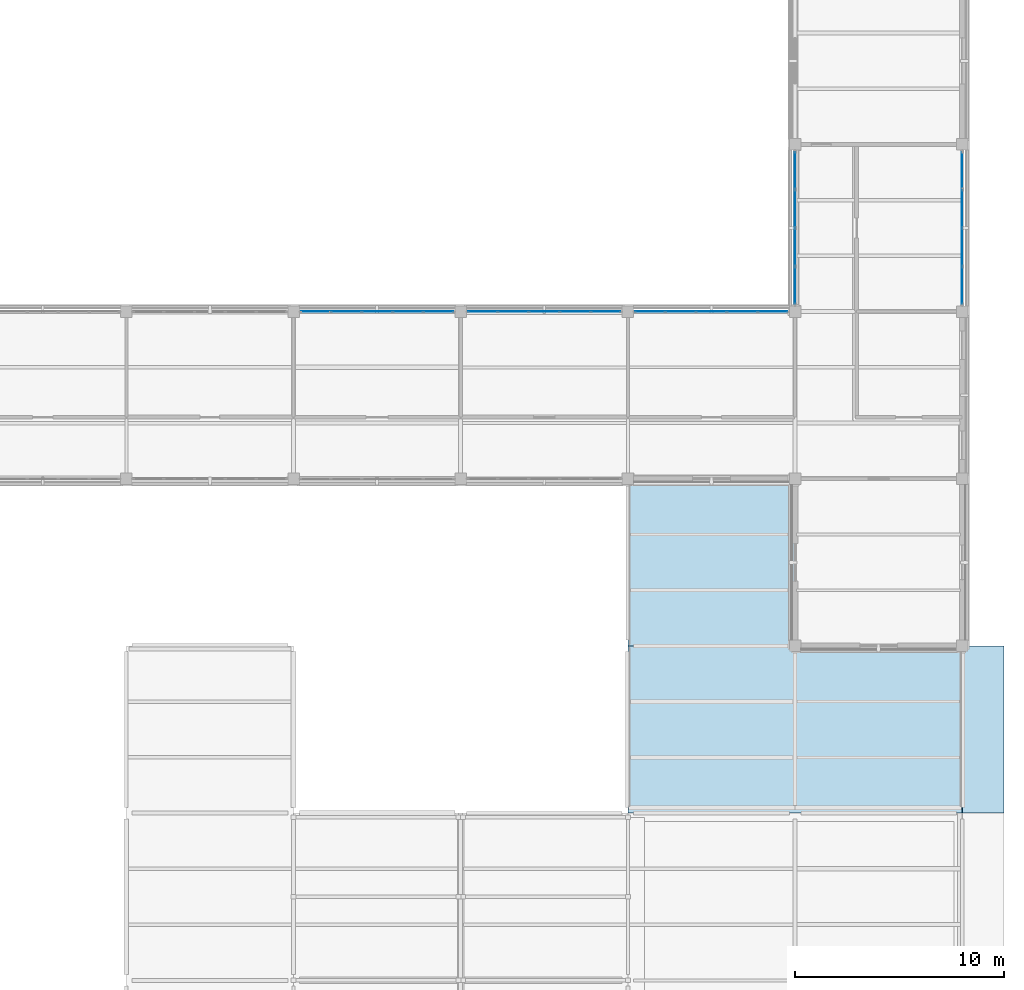
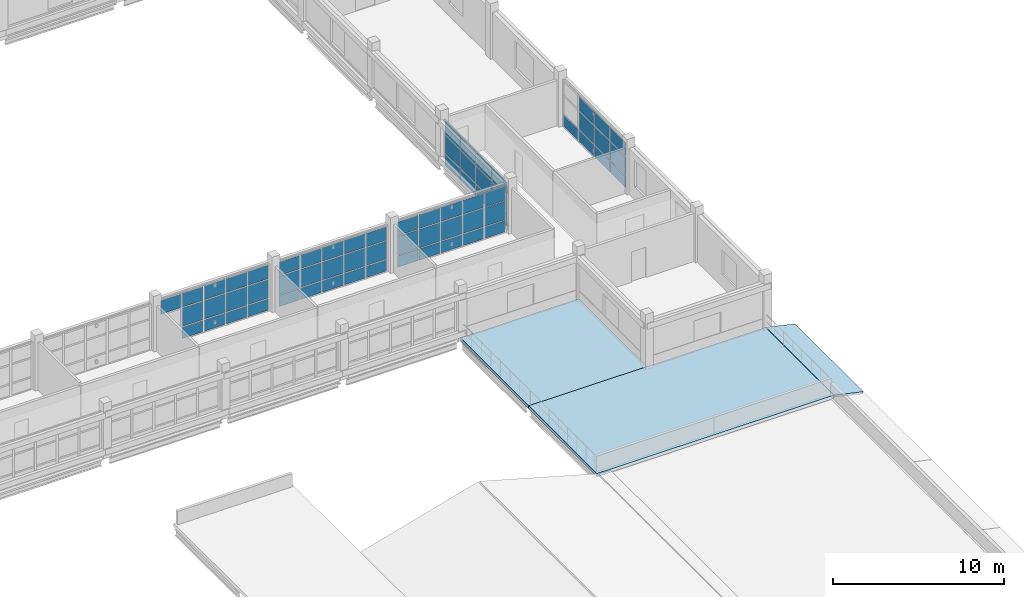
# One storey, part 58 of 92: 65 plates, 3 slabs, 5 elements without a shape of their own.
"""IFC4 building model written with IfcOpenShell, lengths in metres."""

from ifc_helpers import new_model, si_unit, derived_unit, direction, frame, origin, origin_2d, place, context, subcontext, project, spatial, polyline, rectangle, outline, extrude, material, layer, layer_set, type_object, element, aggregate, save


model = new_model("IFC4")

# Units and contexts
model_context = context("Model", 3, precision=1e-05, world=origin(), true_north=direction((0.0, 1.0)))
body_context = subcontext(model_context, "Body", "Model", "MODEL_VIEW")
ifc_project = project(units=[si_unit("LENGTHUNIT", "METRE"), si_unit("AREAUNIT", "SQUARE_METRE"), si_unit("VOLUMEUNIT", "CUBIC_METRE"), si_unit("PLANEANGLEUNIT", "RADIAN"), si_unit("MASSUNIT", "GRAM", prefix="KILO"), derived_unit("THERMALTRANSMITTANCEUNIT", [(si_unit("MASSUNIT", "GRAM", prefix="KILO"), 1), (si_unit("TIMEUNIT", "SECOND"), -3), (si_unit("THERMODYNAMICTEMPERATUREUNIT", "KELVIN"), -1)])], contexts=[model_context])

# Site, building, storey
site_placement = place(None, origin())
site = spatial("IfcSite", under=ifc_project, at=site_placement, CompositionType="ELEMENT")
building_placement = place(site_placement, origin())
building = spatial("IfcBuilding", under=site, at=building_placement, Name="Veyamyaing Civic Hall", CompositionType="ELEMENT")
storey_placement = place(building_placement, frame((0.0, 0.0, 17.820068359375)))
storey = spatial("IfcBuildingStorey", under=building, at=storey_placement, Name="L04", CompositionType="ELEMENT", Elevation=17.820068359375)

# Curtain wall, plates
ifc_material_1 = material(Name="Anodised aluminium 6063-T6", Category="aluminium")
ifc_layer_1 = layer(ifc_material_1, 0.139892578125, Name="Anodised aluminium 6063-T6")
ifc_layer_set_1 = layer_set([ifc_layer_1], Name="Anodised aluminium 6063-T6")
curtain_wall_type_1 = type_object("IfcCurtainWallType", Name="CW-04", PredefinedType="NOTDEFINED", material=ifc_layer_set_1)
curtain_wall_1_placement = place(storey_placement, origin())
curtain_wall_1 = element("IfcCurtainWall", 1, at=curtain_wall_1_placement, inside=storey, type_object=curtain_wall_type_1, Name="Unitized curtain wall CW-04 L04 N 20.7", PredefinedType="NOTDEFINED")
ifc_material_2 = material(Name="Low-E insulated glass", Category="glass")
ifc_layer_2 = layer(ifc_material_2, 0.028076171875, Name="Low-E insulated glass")
ifc_layer_set_2 = layer_set([ifc_layer_2], Name="Low-E insulated glass")
plate_type_1 = type_object("IfcPlateType", Name="CWP-01", PredefinedType="CURTAIN_PANEL", material=ifc_layer_set_2)
plate_1_placement = place(storey_placement, frame((153.05908203125, 56.0, 0.059814453125), z_axis=(0.0, 0.0, 1.0), x_axis=(1.0, 0.0, 0.0)))
plate_1 = element("IfcPlate", 2, at=plate_1_placement, type_object=plate_type_1, Name="CW-04 panel 1.1", PredefinedType="CURTAIN_PANEL", context=body_context, shape_type="SweptSolid", body=[
    extrude(rectangle(XDim=1.387939453125, YDim=0.028076171875, at=origin_2d()), origin(), (0.0, 0.0, 1.0), 0.81005859375),
])
plate_2_placement = place(storey_placement, frame((153.05908203125, 56.0, 0.9296875), z_axis=(0.0, 0.0, 1.0), x_axis=(1.0, 0.0, 0.0)))
plate_2 = element("IfcPlate", 3, at=plate_2_placement, type_object=plate_type_1, Name="CW-04 panel 1.2", PredefinedType="CURTAIN_PANEL", context=body_context, shape_type="SweptSolid", body=[
    extrude(rectangle(XDim=1.387939453125, YDim=0.028076171875, at=origin_2d()), origin(), (0.0, 0.0, 1.0), 1.276611328125),
])
plate_3_placement = place(storey_placement, frame((153.05908203125, 56.0, 2.2666015625), z_axis=(0.0, 0.0, 1.0), x_axis=(1.0, 0.0, 0.0)))
plate_3 = element("IfcPlate", 4, at=plate_3_placement, type_object=plate_type_1, Name="CW-04 panel 1.3", PredefinedType="CURTAIN_PANEL", context=body_context, shape_type="SweptSolid", body=[
    extrude(rectangle(XDim=1.387939453125, YDim=0.028076171875, at=origin_2d()), origin(), (0.0, 0.0, 1.0), 0.96240234375),
])
plate_4_placement = place(storey_placement, frame((154.52197265625, 56.0, 0.059814453125), z_axis=(0.0, 0.0, 1.0), x_axis=(1.0, 0.0, 0.0)))
plate_4 = element("IfcPlate", 5, at=plate_4_placement, type_object=plate_type_1, Name="CW-04 panel 2.1", PredefinedType="CURTAIN_PANEL", context=body_context, shape_type="SweptSolid", body=[
    extrude(rectangle(XDim=1.41796875, YDim=0.028076171875, at=origin_2d()), origin(), (0.0, 0.0, 1.0), 0.81005859375),
])
plate_5_placement = place(storey_placement, frame((154.52197265625, 56.0, 0.9296875), z_axis=(0.0, 0.0, 1.0), x_axis=(1.0, 0.0, 0.0)))
plate_5 = element("IfcPlate", 6, at=plate_5_placement, type_object=plate_type_1, Name="CW-04 panel 2.2", PredefinedType="CURTAIN_PANEL", context=body_context, shape_type="SweptSolid", body=[
    extrude(rectangle(XDim=1.41796875, YDim=0.028076171875, at=origin_2d()), origin(), (0.0, 0.0, 1.0), 1.276611328125),
])
plate_6_placement = place(storey_placement, frame((154.52197265625, 56.0, 2.2666015625), z_axis=(0.0, 0.0, 1.0), x_axis=(1.0, 0.0, 0.0)))
plate_6 = element("IfcPlate", 7, at=plate_6_placement, type_object=plate_type_1, Name="CW-04 panel 2.3", PredefinedType="CURTAIN_PANEL", context=body_context, shape_type="SweptSolid", body=[
    extrude(rectangle(XDim=1.41796875, YDim=0.028076171875, at=origin_2d()), origin(), (0.0, 0.0, 1.0), 0.96240234375),
])
plate_7_placement = place(storey_placement, frame((156.0, 56.0, 0.059814453125), z_axis=(0.0, 0.0, 1.0), x_axis=(1.0, 0.0, 0.0)))
plate_7 = element("IfcPlate", 8, at=plate_7_placement, type_object=plate_type_1, Name="CW-04 panel 3.1", PredefinedType="CURTAIN_PANEL", context=body_context, shape_type="SweptSolid", body=[
    extrude(rectangle(XDim=1.41796875, YDim=0.028076171875, at=origin_2d()), origin(), (0.0, 0.0, 1.0), 0.81005859375),
])
plate_8_placement = place(storey_placement, frame((156.0, 56.0, 0.9296875), z_axis=(0.0, 0.0, 1.0), x_axis=(1.0, 0.0, 0.0)))
plate_8 = element("IfcPlate", 9, at=plate_8_placement, type_object=plate_type_1, Name="CW-04 panel 3.2", PredefinedType="CURTAIN_PANEL", context=body_context, shape_type="SweptSolid", body=[
    extrude(rectangle(XDim=1.41796875, YDim=0.028076171875, at=origin_2d()), origin(), (0.0, 0.0, 1.0), 1.276611328125),
])
plate_9_placement = place(storey_placement, frame((156.0, 56.0, 2.2666015625), z_axis=(0.0, 0.0, 1.0), x_axis=(1.0, 0.0, 0.0)))
plate_9 = element("IfcPlate", 10, at=plate_9_placement, type_object=plate_type_1, Name="CW-04 panel 3.3", PredefinedType="CURTAIN_PANEL", context=body_context, shape_type="SweptSolid", body=[
    extrude(rectangle(XDim=1.41796875, YDim=0.028076171875, at=origin_2d()), origin(), (0.0, 0.0, 1.0), 0.96240234375),
])
plate_10_placement = place(storey_placement, frame((157.47802734375, 56.0, 0.059814453125), z_axis=(0.0, 0.0, 1.0), x_axis=(1.0, 0.0, 0.0)))
plate_10 = element("IfcPlate", 11, at=plate_10_placement, type_object=plate_type_1, Name="CW-04 panel 4.1", PredefinedType="CURTAIN_PANEL", context=body_context, shape_type="SweptSolid", body=[
    extrude(rectangle(XDim=1.41796875, YDim=0.028076171875, at=origin_2d()), origin(), (0.0, 0.0, 1.0), 0.81005859375),
])
plate_11_placement = place(storey_placement, frame((157.47802734375, 56.0, 0.9296875), z_axis=(0.0, 0.0, 1.0), x_axis=(1.0, 0.0, 0.0)))
plate_11 = element("IfcPlate", 12, at=plate_11_placement, type_object=plate_type_1, Name="CW-04 panel 4.2", PredefinedType="CURTAIN_PANEL", context=body_context, shape_type="SweptSolid", body=[
    extrude(rectangle(XDim=1.41796875, YDim=0.028076171875, at=origin_2d()), origin(), (0.0, 0.0, 1.0), 1.276611328125),
])
plate_12_placement = place(storey_placement, frame((157.47802734375, 56.0, 2.2666015625), z_axis=(0.0, 0.0, 1.0), x_axis=(1.0, 0.0, 0.0)))
plate_12 = element("IfcPlate", 13, at=plate_12_placement, type_object=plate_type_1, Name="CW-04 panel 4.3", PredefinedType="CURTAIN_PANEL", context=body_context, shape_type="SweptSolid", body=[
    extrude(rectangle(XDim=1.41796875, YDim=0.028076171875, at=origin_2d()), origin(), (0.0, 0.0, 1.0), 0.96240234375),
])
plate_13_placement = place(storey_placement, frame((158.94091796875, 56.0, 0.059814453125), z_axis=(0.0, 0.0, 1.0), x_axis=(1.0, 0.0, 0.0)))
plate_13 = element("IfcPlate", 14, at=plate_13_placement, type_object=plate_type_1, Name="CW-04 panel 5.1", PredefinedType="CURTAIN_PANEL", context=body_context, shape_type="SweptSolid", body=[
    extrude(rectangle(XDim=1.387939453125, YDim=0.028076171875, at=origin_2d()), origin(), (0.0, 0.0, 1.0), 0.81005859375),
])
plate_14_placement = place(storey_placement, frame((158.94091796875, 56.0, 0.9296875), z_axis=(0.0, 0.0, 1.0), x_axis=(1.0, 0.0, 0.0)))
plate_14 = element("IfcPlate", 15, at=plate_14_placement, type_object=plate_type_1, Name="CW-04 panel 5.2", PredefinedType="CURTAIN_PANEL", context=body_context, shape_type="SweptSolid", body=[
    extrude(rectangle(XDim=1.387939453125, YDim=0.028076171875, at=origin_2d()), origin(), (0.0, 0.0, 1.0), 1.276611328125),
])
plate_15_placement = place(storey_placement, frame((158.94091796875, 56.0, 2.2666015625), z_axis=(0.0, 0.0, 1.0), x_axis=(1.0, 0.0, 0.0)))
plate_15 = element("IfcPlate", 16, at=plate_15_placement, type_object=plate_type_1, Name="CW-04 panel 5.3", PredefinedType="CURTAIN_PANEL", context=body_context, shape_type="SweptSolid", body=[
    extrude(rectangle(XDim=1.387939453125, YDim=0.028076171875, at=origin_2d()), origin(), (0.0, 0.0, 1.0), 0.96240234375),
])
aggregate(curtain_wall_1, [plate_1, plate_2, plate_3, plate_4, plate_5, plate_6, plate_7, plate_8, plate_9, plate_10, plate_11, plate_12, plate_13, plate_14, plate_15])

curtain_wall_2_placement = place(storey_placement, origin())
curtain_wall_2 = element("IfcCurtainWall", 17, at=curtain_wall_2_placement, inside=storey, type_object=curtain_wall_type_1, Name="Unitized curtain wall CW-04 L04 N 21.7", PredefinedType="NOTDEFINED")
ifc_layer_3 = layer(ifc_material_2, 0.031982421875, Name="Low-E insulated glass")
ifc_layer_set_3 = layer_set([ifc_layer_3], Name="Low-E insulated glass")
plate_type_2 = type_object("IfcPlateType", Name="CWP-02", PredefinedType="CURTAIN_PANEL", material=ifc_layer_set_3)
plate_16_placement = place(storey_placement, frame((161.05908203125, 56.0, 0.059814453125), z_axis=(0.0, 0.0, 1.0), x_axis=(1.0, 0.0, 0.0)))
plate_16 = element("IfcPlate", 18, at=plate_16_placement, type_object=plate_type_2, Name="CW-04 panel 1.1", PredefinedType="CURTAIN_PANEL", context=body_context, shape_type="SweptSolid", body=[
    extrude(rectangle(XDim=1.387939453125, YDim=0.031982421875, at=origin_2d()), origin(), (0.0, 0.0, 1.0), 0.81005859375),
])
plate_17_placement = place(storey_placement, frame((161.05908203125, 56.0, 0.929931640625), z_axis=(0.0, 0.0, 1.0), x_axis=(1.0, 0.0, 0.0)))
plate_17 = element("IfcPlate", 19, at=plate_17_placement, type_object=plate_type_2, Name="CW-04 panel 1.2", PredefinedType="CURTAIN_PANEL", context=body_context, shape_type="SweptSolid", body=[
    extrude(rectangle(XDim=1.387939453125, YDim=0.031982421875, at=origin_2d()), origin(), (0.0, 0.0, 1.0), 1.3193359375),
])
plate_18_placement = place(storey_placement, frame((161.05908203125, 56.0, 2.30908203125), z_axis=(0.0, 0.0, 1.0), x_axis=(1.0, 0.0, 0.0)))
plate_18 = element("IfcPlate", 20, at=plate_18_placement, type_object=plate_type_2, Name="CW-04 panel 1.3", PredefinedType="CURTAIN_PANEL", context=body_context, shape_type="SweptSolid", body=[
    extrude(rectangle(XDim=1.387939453125, YDim=0.031982421875, at=origin_2d()), origin(), (0.0, 0.0, 1.0), 0.982666015625),
])
plate_19_placement = place(storey_placement, frame((162.52197265625, 56.0, 0.059814453125), z_axis=(0.0, 0.0, 1.0), x_axis=(1.0, 0.0, 0.0)))
plate_19 = element("IfcPlate", 21, at=plate_19_placement, type_object=plate_type_2, Name="CW-04 panel 2.1", PredefinedType="CURTAIN_PANEL", context=body_context, shape_type="SweptSolid", body=[
    extrude(rectangle(XDim=1.41796875, YDim=0.031982421875, at=origin_2d()), origin(), (0.0, 0.0, 1.0), 0.81005859375),
])
plate_20_placement = place(storey_placement, frame((162.52197265625, 56.0, 0.929931640625), z_axis=(0.0, 0.0, 1.0), x_axis=(1.0, 0.0, 0.0)))
plate_20 = element("IfcPlate", 22, at=plate_20_placement, type_object=plate_type_2, Name="CW-04 panel 2.2", PredefinedType="CURTAIN_PANEL", context=body_context, shape_type="SweptSolid", body=[
    extrude(rectangle(XDim=1.41796875, YDim=0.031982421875, at=origin_2d()), origin(), (0.0, 0.0, 1.0), 1.3193359375),
])
plate_21_placement = place(storey_placement, frame((162.52197265625, 56.0, 2.30908203125), z_axis=(0.0, 0.0, 1.0), x_axis=(1.0, 0.0, 0.0)))
plate_21 = element("IfcPlate", 23, at=plate_21_placement, type_object=plate_type_2, Name="CW-04 panel 2.3", PredefinedType="CURTAIN_PANEL", context=body_context, shape_type="SweptSolid", body=[
    extrude(rectangle(XDim=1.41796875, YDim=0.031982421875, at=origin_2d()), origin(), (0.0, 0.0, 1.0), 0.982666015625),
])
plate_22_placement = place(storey_placement, frame((164.0, 56.0, 0.059814453125), z_axis=(0.0, 0.0, 1.0), x_axis=(1.0, 0.0, 0.0)))
plate_22 = element("IfcPlate", 24, at=plate_22_placement, type_object=plate_type_2, Name="CW-04 panel 3.1", PredefinedType="CURTAIN_PANEL", context=body_context, shape_type="SweptSolid", body=[
    extrude(rectangle(XDim=1.41796875, YDim=0.031982421875, at=origin_2d()), origin(), (0.0, 0.0, 1.0), 0.81005859375),
])
plate_23_placement = place(storey_placement, frame((164.0, 56.0, 0.929931640625), z_axis=(0.0, 0.0, 1.0), x_axis=(1.0, 0.0, 0.0)))
plate_23 = element("IfcPlate", 25, at=plate_23_placement, type_object=plate_type_2, Name="CW-04 panel 3.2", PredefinedType="CURTAIN_PANEL", context=body_context, shape_type="SweptSolid", body=[
    extrude(rectangle(XDim=1.41796875, YDim=0.031982421875, at=origin_2d()), origin(), (0.0, 0.0, 1.0), 1.3193359375),
])
plate_24_placement = place(storey_placement, frame((164.0, 56.0, 2.30908203125), z_axis=(0.0, 0.0, 1.0), x_axis=(1.0, 0.0, 0.0)))
plate_24 = element("IfcPlate", 26, at=plate_24_placement, type_object=plate_type_2, Name="CW-04 panel 3.3", PredefinedType="CURTAIN_PANEL", context=body_context, shape_type="SweptSolid", body=[
    extrude(rectangle(XDim=1.41796875, YDim=0.031982421875, at=origin_2d()), origin(), (0.0, 0.0, 1.0), 0.982666015625),
])
plate_25_placement = place(storey_placement, frame((165.47802734375, 56.0, 0.059814453125), z_axis=(0.0, 0.0, 1.0), x_axis=(1.0, 0.0, 0.0)))
plate_25 = element("IfcPlate", 27, at=plate_25_placement, type_object=plate_type_2, Name="CW-04 panel 4.1", PredefinedType="CURTAIN_PANEL", context=body_context, shape_type="SweptSolid", body=[
    extrude(rectangle(XDim=1.41796875, YDim=0.031982421875, at=origin_2d()), origin(), (0.0, 0.0, 1.0), 0.81005859375),
])
plate_26_placement = place(storey_placement, frame((165.47802734375, 56.0, 0.929931640625), z_axis=(0.0, 0.0, 1.0), x_axis=(1.0, 0.0, 0.0)))
plate_26 = element("IfcPlate", 28, at=plate_26_placement, type_object=plate_type_2, Name="CW-04 panel 4.2", PredefinedType="CURTAIN_PANEL", context=body_context, shape_type="SweptSolid", body=[
    extrude(rectangle(XDim=1.41796875, YDim=0.031982421875, at=origin_2d()), origin(), (0.0, 0.0, 1.0), 1.3193359375),
])
plate_27_placement = place(storey_placement, frame((165.47802734375, 56.0, 2.30908203125), z_axis=(0.0, 0.0, 1.0), x_axis=(1.0, 0.0, 0.0)))
plate_27 = element("IfcPlate", 29, at=plate_27_placement, type_object=plate_type_2, Name="CW-04 panel 4.3", PredefinedType="CURTAIN_PANEL", context=body_context, shape_type="SweptSolid", body=[
    extrude(rectangle(XDim=1.41796875, YDim=0.031982421875, at=origin_2d()), origin(), (0.0, 0.0, 1.0), 0.982666015625),
])
plate_28_placement = place(storey_placement, frame((166.94091796875, 56.0, 0.059814453125), z_axis=(0.0, 0.0, 1.0), x_axis=(1.0, 0.0, 0.0)))
plate_28 = element("IfcPlate", 30, at=plate_28_placement, type_object=plate_type_2, Name="CW-04 panel 5.1", PredefinedType="CURTAIN_PANEL", context=body_context, shape_type="SweptSolid", body=[
    extrude(rectangle(XDim=1.387939453125, YDim=0.031982421875, at=origin_2d()), origin(), (0.0, 0.0, 1.0), 0.81005859375),
])
plate_29_placement = place(storey_placement, frame((166.94091796875, 56.0, 0.929931640625), z_axis=(0.0, 0.0, 1.0), x_axis=(1.0, 0.0, 0.0)))
plate_29 = element("IfcPlate", 31, at=plate_29_placement, type_object=plate_type_2, Name="CW-04 panel 5.2", PredefinedType="CURTAIN_PANEL", context=body_context, shape_type="SweptSolid", body=[
    extrude(rectangle(XDim=1.387939453125, YDim=0.031982421875, at=origin_2d()), origin(), (0.0, 0.0, 1.0), 1.3193359375),
])
plate_30_placement = place(storey_placement, frame((166.94091796875, 56.0, 2.30908203125), z_axis=(0.0, 0.0, 1.0), x_axis=(1.0, 0.0, 0.0)))
plate_30 = element("IfcPlate", 32, at=plate_30_placement, type_object=plate_type_2, Name="CW-04 panel 5.3", PredefinedType="CURTAIN_PANEL", context=body_context, shape_type="SweptSolid", body=[
    extrude(rectangle(XDim=1.387939453125, YDim=0.031982421875, at=origin_2d()), origin(), (0.0, 0.0, 1.0), 0.982666015625),
])
aggregate(curtain_wall_2, [plate_16, plate_17, plate_18, plate_19, plate_20, plate_21, plate_22, plate_23, plate_24, plate_25, plate_26, plate_27, plate_28, plate_29, plate_30])

ifc_layer_4 = layer(ifc_material_1, 0.159912109375, Name="Anodised aluminium 6063-T6")
ifc_layer_set_4 = layer_set([ifc_layer_4], Name="Anodised aluminium 6063-T6")
curtain_wall_type_2 = type_object("IfcCurtainWallType", Name="CW-08", PredefinedType="NOTDEFINED", material=ifc_layer_set_4)
curtain_wall_3_placement = place(storey_placement, origin())
curtain_wall_3 = element("IfcCurtainWall", 33, at=curtain_wall_3_placement, inside=storey, type_object=curtain_wall_type_2, Name="Unitized curtain wall CW-08 L04 W 22.8", PredefinedType="NOTDEFINED")
ifc_layer_5 = layer(ifc_material_2, 0.02392578125, Name="Low-E insulated glass")
ifc_layer_set_5 = layer_set([ifc_layer_5], Name="Low-E insulated glass")
plate_type_3 = type_object("IfcPlateType", Name="CWP-04", PredefinedType="CURTAIN_PANEL", material=ifc_layer_set_5)
plate_31_placement = place(storey_placement, frame((168.0, 57.2451171875, 0.06494140625), z_axis=(0.0, 0.0, 1.0), x_axis=(0.0, 1.0, 0.0)))
plate_31 = element("IfcPlate", 34, at=plate_31_placement, type_object=plate_type_3, Name="CW-08 panel 1.1", PredefinedType="CURTAIN_PANEL", context=body_context, shape_type="SweptSolid", body=[
    extrude(rectangle(XDim=1.75, YDim=0.02392578125, at=origin_2d()), origin(), (0.0, 0.0, 1.0), 0.802490234375),
])
plate_32_placement = place(storey_placement, frame((168.0, 57.2451171875, 0.9326171875), z_axis=(0.0, 0.0, 1.0), x_axis=(0.0, 1.0, 0.0)))
plate_32 = element("IfcPlate", 35, at=plate_32_placement, type_object=plate_type_3, Name="CW-08 panel 1.2", PredefinedType="CURTAIN_PANEL", context=body_context, shape_type="SweptSolid", body=[
    extrude(rectangle(XDim=1.75, YDim=0.02392578125, at=origin_2d()), origin(), (0.0, 0.0, 1.0), 1.268798828125),
])
plate_33_placement = place(storey_placement, frame((168.0, 57.2451171875, 2.266357421875), z_axis=(0.0, 0.0, 1.0), x_axis=(0.0, 1.0, 0.0)))
plate_33 = element("IfcPlate", 36, at=plate_33_placement, type_object=plate_type_3, Name="CW-08 panel 1.3", PredefinedType="CURTAIN_PANEL", context=body_context, shape_type="SweptSolid", body=[
    extrude(rectangle(XDim=1.75, YDim=0.02392578125, at=origin_2d()), origin(), (0.0, 0.0, 1.0), 0.95361328125),
])
plate_34_placement = place(storey_placement, frame((168.0, 59.076171875, 0.06494140625), z_axis=(0.0, 0.0, 1.0), x_axis=(0.0, 1.0, 0.0)))
plate_34 = element("IfcPlate", 37, at=plate_34_placement, type_object=plate_type_3, Name="CW-08 panel 2.1", PredefinedType="CURTAIN_PANEL", context=body_context, shape_type="SweptSolid", body=[
    extrude(rectangle(XDim=1.782470703125, YDim=0.02392578125, at=origin_2d()), origin(), (0.0, 0.0, 1.0), 0.802490234375),
])
plate_35_placement = place(storey_placement, frame((168.0, 59.076171875, 0.9326171875), z_axis=(0.0, 0.0, 1.0), x_axis=(0.0, 1.0, 0.0)))
plate_35 = element("IfcPlate", 38, at=plate_35_placement, type_object=plate_type_3, Name="CW-08 panel 2.2", PredefinedType="CURTAIN_PANEL", context=body_context, shape_type="SweptSolid", body=[
    extrude(rectangle(XDim=1.782470703125, YDim=0.02392578125, at=origin_2d()), origin(), (0.0, 0.0, 1.0), 1.268798828125),
])
plate_36_placement = place(storey_placement, frame((168.0, 59.076171875, 2.266357421875), z_axis=(0.0, 0.0, 1.0), x_axis=(0.0, 1.0, 0.0)))
plate_36 = element("IfcPlate", 39, at=plate_36_placement, type_object=plate_type_3, Name="CW-08 panel 2.3", PredefinedType="CURTAIN_PANEL", context=body_context, shape_type="SweptSolid", body=[
    extrude(rectangle(XDim=1.782470703125, YDim=0.02392578125, at=origin_2d()), origin(), (0.0, 0.0, 1.0), 0.95361328125),
])
plate_37_placement = place(storey_placement, frame((168.0, 60.923828125, 0.06494140625), z_axis=(0.0, 0.0, 1.0), x_axis=(0.0, 1.0, 0.0)))
plate_37 = element("IfcPlate", 40, at=plate_37_placement, type_object=plate_type_3, Name="CW-08 panel 3.1", PredefinedType="CURTAIN_PANEL", context=body_context, shape_type="SweptSolid", body=[
    extrude(rectangle(XDim=1.782470703125, YDim=0.02392578125, at=origin_2d()), origin(), (0.0, 0.0, 1.0), 0.802490234375),
])
plate_38_placement = place(storey_placement, frame((168.0, 60.923828125, 0.9326171875), z_axis=(0.0, 0.0, 1.0), x_axis=(0.0, 1.0, 0.0)))
plate_38 = element("IfcPlate", 41, at=plate_38_placement, type_object=plate_type_3, Name="CW-08 panel 3.2", PredefinedType="CURTAIN_PANEL", context=body_context, shape_type="SweptSolid", body=[
    extrude(rectangle(XDim=1.782470703125, YDim=0.02392578125, at=origin_2d()), origin(), (0.0, 0.0, 1.0), 1.268798828125),
])
plate_39_placement = place(storey_placement, frame((168.0, 60.923828125, 2.266357421875), z_axis=(0.0, 0.0, 1.0), x_axis=(0.0, 1.0, 0.0)))
plate_39 = element("IfcPlate", 42, at=plate_39_placement, type_object=plate_type_3, Name="CW-08 panel 3.3", PredefinedType="CURTAIN_PANEL", context=body_context, shape_type="SweptSolid", body=[
    extrude(rectangle(XDim=1.782470703125, YDim=0.02392578125, at=origin_2d()), origin(), (0.0, 0.0, 1.0), 0.95361328125),
])
plate_40_placement = place(storey_placement, frame((168.0, 62.7548828125, 0.06494140625), z_axis=(0.0, 0.0, 1.0), x_axis=(0.0, 1.0, 0.0)))
plate_40 = element("IfcPlate", 43, at=plate_40_placement, type_object=plate_type_3, Name="CW-08 panel 4.1", PredefinedType="CURTAIN_PANEL", context=body_context, shape_type="SweptSolid", body=[
    extrude(rectangle(XDim=1.75, YDim=0.02392578125, at=origin_2d()), origin(), (0.0, 0.0, 1.0), 0.802490234375),
])
plate_41_placement = place(storey_placement, frame((168.0, 62.7548828125, 0.9326171875), z_axis=(0.0, 0.0, 1.0), x_axis=(0.0, 1.0, 0.0)))
plate_41 = element("IfcPlate", 44, at=plate_41_placement, type_object=plate_type_3, Name="CW-08 panel 4.2", PredefinedType="CURTAIN_PANEL", context=body_context, shape_type="SweptSolid", body=[
    extrude(rectangle(XDim=1.75, YDim=0.02392578125, at=origin_2d()), origin(), (0.0, 0.0, 1.0), 1.268798828125),
])
plate_42_placement = place(storey_placement, frame((168.0, 62.7548828125, 2.266357421875), z_axis=(0.0, 0.0, 1.0), x_axis=(0.0, 1.0, 0.0)))
plate_42 = element("IfcPlate", 45, at=plate_42_placement, type_object=plate_type_3, Name="CW-08 panel 4.3", PredefinedType="CURTAIN_PANEL", context=body_context, shape_type="SweptSolid", body=[
    extrude(rectangle(XDim=1.75, YDim=0.02392578125, at=origin_2d()), origin(), (0.0, 0.0, 1.0), 0.95361328125),
])
aggregate(curtain_wall_3, [plate_31, plate_32, plate_33, plate_34, plate_35, plate_36, plate_37, plate_38, plate_39, plate_40, plate_41, plate_42])

curtain_wall_4_placement = place(storey_placement, origin())
curtain_wall_4 = element("IfcCurtainWall", 46, at=curtain_wall_4_placement, inside=storey, type_object=curtain_wall_type_2, Name="Unitized curtain wall CW-08 L04 E 22.8", PredefinedType="NOTDEFINED")
plate_43_placement = place(storey_placement, frame((176.0, 57.2451171875, 0.06494140625), z_axis=(0.0, 0.0, 1.0), x_axis=(0.0, 1.0, 0.0)))
plate_43 = element("IfcPlate", 47, at=plate_43_placement, type_object=plate_type_3, Name="CW-08 panel 1.1", PredefinedType="CURTAIN_PANEL", context=body_context, shape_type="SweptSolid", body=[
    extrude(rectangle(XDim=1.75, YDim=0.02392578125, at=origin_2d()), origin(), (0.0, 0.0, 1.0), 0.802490234375),
])
plate_44_placement = place(storey_placement, frame((176.0, 57.2451171875, 0.9326171875), z_axis=(0.0, 0.0, 1.0), x_axis=(0.0, 1.0, 0.0)))
plate_44 = element("IfcPlate", 48, at=plate_44_placement, type_object=plate_type_3, Name="CW-08 panel 1.2", PredefinedType="CURTAIN_PANEL", context=body_context, shape_type="SweptSolid", body=[
    extrude(rectangle(XDim=1.75, YDim=0.02392578125, at=origin_2d()), origin(), (0.0, 0.0, 1.0), 1.312255859375),
])
plate_45_placement = place(storey_placement, frame((176.0, 57.2451171875, 2.309814453125), z_axis=(0.0, 0.0, 1.0), x_axis=(0.0, 1.0, 0.0)))
plate_45 = element("IfcPlate", 49, at=plate_45_placement, type_object=plate_type_3, Name="CW-08 panel 1.3", PredefinedType="CURTAIN_PANEL", context=body_context, shape_type="SweptSolid", body=[
    extrude(rectangle(XDim=1.75, YDim=0.02392578125, at=origin_2d()), origin(), (0.0, 0.0, 1.0), 0.97412109375),
])
plate_46_placement = place(storey_placement, frame((176.0, 59.076171875, 0.06494140625), z_axis=(0.0, 0.0, 1.0), x_axis=(0.0, 1.0, 0.0)))
plate_46 = element("IfcPlate", 50, at=plate_46_placement, type_object=plate_type_3, Name="CW-08 panel 2.1", PredefinedType="CURTAIN_PANEL", context=body_context, shape_type="SweptSolid", body=[
    extrude(rectangle(XDim=1.782470703125, YDim=0.02392578125, at=origin_2d()), origin(), (0.0, 0.0, 1.0), 0.802490234375),
])
plate_47_placement = place(storey_placement, frame((176.0, 59.076171875, 0.9326171875), z_axis=(0.0, 0.0, 1.0), x_axis=(0.0, 1.0, 0.0)))
plate_47 = element("IfcPlate", 51, at=plate_47_placement, type_object=plate_type_3, Name="CW-08 panel 2.2", PredefinedType="CURTAIN_PANEL", context=body_context, shape_type="SweptSolid", body=[
    extrude(rectangle(XDim=1.782470703125, YDim=0.02392578125, at=origin_2d()), origin(), (0.0, 0.0, 1.0), 1.312255859375),
])
plate_48_placement = place(storey_placement, frame((176.0, 59.076171875, 2.309814453125), z_axis=(0.0, 0.0, 1.0), x_axis=(0.0, 1.0, 0.0)))
plate_48 = element("IfcPlate", 52, at=plate_48_placement, type_object=plate_type_3, Name="CW-08 panel 2.3", PredefinedType="CURTAIN_PANEL", context=body_context, shape_type="SweptSolid", body=[
    extrude(rectangle(XDim=1.782470703125, YDim=0.02392578125, at=origin_2d()), origin(), (0.0, 0.0, 1.0), 0.97412109375),
])
plate_49_placement = place(storey_placement, frame((176.0, 60.923828125, 0.06494140625), z_axis=(0.0, 0.0, 1.0), x_axis=(0.0, 1.0, 0.0)))
plate_49 = element("IfcPlate", 53, at=plate_49_placement, type_object=plate_type_3, Name="CW-08 panel 3.1", PredefinedType="CURTAIN_PANEL", context=body_context, shape_type="SweptSolid", body=[
    extrude(rectangle(XDim=1.782470703125, YDim=0.02392578125, at=origin_2d()), origin(), (0.0, 0.0, 1.0), 0.802490234375),
])
plate_50_placement = place(storey_placement, frame((176.0, 60.923828125, 0.9326171875), z_axis=(0.0, 0.0, 1.0), x_axis=(0.0, 1.0, 0.0)))
plate_50 = element("IfcPlate", 54, at=plate_50_placement, type_object=plate_type_3, Name="CW-08 panel 3.2", PredefinedType="CURTAIN_PANEL", context=body_context, shape_type="SweptSolid", body=[
    extrude(rectangle(XDim=1.782470703125, YDim=0.02392578125, at=origin_2d()), origin(), (0.0, 0.0, 1.0), 1.312255859375),
])
plate_51_placement = place(storey_placement, frame((176.0, 60.923828125, 2.309814453125), z_axis=(0.0, 0.0, 1.0), x_axis=(0.0, 1.0, 0.0)))
plate_51 = element("IfcPlate", 55, at=plate_51_placement, type_object=plate_type_3, Name="CW-08 panel 3.3", PredefinedType="CURTAIN_PANEL", context=body_context, shape_type="SweptSolid", body=[
    extrude(rectangle(XDim=1.782470703125, YDim=0.02392578125, at=origin_2d()), origin(), (0.0, 0.0, 1.0), 0.97412109375),
])
plate_52_placement = place(storey_placement, frame((176.0, 62.7548828125, 0.06494140625), z_axis=(0.0, 0.0, 1.0), x_axis=(0.0, 1.0, 0.0)))
plate_52 = element("IfcPlate", 56, at=plate_52_placement, type_object=plate_type_3, Name="CW-08 panel 4.1", PredefinedType="CURTAIN_PANEL", context=body_context, shape_type="SweptSolid", body=[
    extrude(rectangle(XDim=1.75, YDim=0.02392578125, at=origin_2d()), origin(), (0.0, 0.0, 1.0), 0.802490234375),
])
aggregate(curtain_wall_4, [plate_43, plate_44, plate_45, plate_46, plate_47, plate_48, plate_49, plate_50, plate_51, plate_52])

curtain_wall_5_placement = place(storey_placement, origin())
curtain_wall_5 = element("IfcCurtainWall", 57, at=curtain_wall_5_placement, inside=storey, type_object=curtain_wall_type_1, Name="Unitized curtain wall CW-04 L04 N 19.7", PredefinedType="NOTDEFINED")
ifc_layer_6 = layer(ifc_material_2, 0.02197265625, Name="Low-E insulated glass")
ifc_layer_set_6 = layer_set([ifc_layer_6], Name="Low-E insulated glass")
plate_type_4 = type_object("IfcPlateType", Name="CWP-06", PredefinedType="CURTAIN_PANEL", material=ifc_layer_set_6)
plate_53_placement = place(storey_placement, frame((145.05908203125, 56.0, 2.30712890625), z_axis=(0.0, 0.0, 1.0), x_axis=(1.0, 0.0, 0.0)))
plate_53 = element("IfcPlate", 58, at=plate_53_placement, type_object=plate_type_4, Name="CW-04 panel 1.3", PredefinedType="CURTAIN_PANEL", context=body_context, shape_type="SweptSolid", body=[
    extrude(rectangle(XDim=1.387939453125, YDim=0.02197265625, at=origin_2d()), origin(), (0.0, 0.0, 1.0), 0.981689453125),
])
plate_54_placement = place(storey_placement, frame((146.52197265625, 56.0, 0.059814453125), z_axis=(0.0, 0.0, 1.0), x_axis=(1.0, 0.0, 0.0)))
plate_54 = element("IfcPlate", 59, at=plate_54_placement, type_object=plate_type_4, Name="CW-04 panel 2.1", PredefinedType="CURTAIN_PANEL", context=body_context, shape_type="SweptSolid", body=[
    extrude(rectangle(XDim=1.41796875, YDim=0.02197265625, at=origin_2d()), origin(), (0.0, 0.0, 1.0), 0.81005859375),
])
plate_55_placement = place(storey_placement, frame((146.52197265625, 56.0, 0.929931640625), z_axis=(0.0, 0.0, 1.0), x_axis=(1.0, 0.0, 0.0)))
plate_55 = element("IfcPlate", 60, at=plate_55_placement, type_object=plate_type_4, Name="CW-04 panel 2.2", PredefinedType="CURTAIN_PANEL", context=body_context, shape_type="SweptSolid", body=[
    extrude(rectangle(XDim=1.41796875, YDim=0.02197265625, at=origin_2d()), origin(), (0.0, 0.0, 1.0), 1.3173828125),
])
plate_56_placement = place(storey_placement, frame((146.52197265625, 56.0, 2.30712890625), z_axis=(0.0, 0.0, 1.0), x_axis=(1.0, 0.0, 0.0)))
plate_56 = element("IfcPlate", 61, at=plate_56_placement, type_object=plate_type_4, Name="CW-04 panel 2.3", PredefinedType="CURTAIN_PANEL", context=body_context, shape_type="SweptSolid", body=[
    extrude(rectangle(XDim=1.41796875, YDim=0.02197265625, at=origin_2d()), origin(), (0.0, 0.0, 1.0), 0.981689453125),
])
plate_57_placement = place(storey_placement, frame((148.0, 56.0, 0.059814453125), z_axis=(0.0, 0.0, 1.0), x_axis=(1.0, 0.0, 0.0)))
plate_57 = element("IfcPlate", 62, at=plate_57_placement, type_object=plate_type_4, Name="CW-04 panel 3.1", PredefinedType="CURTAIN_PANEL", context=body_context, shape_type="SweptSolid", body=[
    extrude(rectangle(XDim=1.41796875, YDim=0.02197265625, at=origin_2d()), origin(), (0.0, 0.0, 1.0), 0.81005859375),
])
plate_58_placement = place(storey_placement, frame((148.0, 56.0, 0.929931640625), z_axis=(0.0, 0.0, 1.0), x_axis=(1.0, 0.0, 0.0)))
plate_58 = element("IfcPlate", 63, at=plate_58_placement, type_object=plate_type_4, Name="CW-04 panel 3.2", PredefinedType="CURTAIN_PANEL", context=body_context, shape_type="SweptSolid", body=[
    extrude(rectangle(XDim=1.41796875, YDim=0.02197265625, at=origin_2d()), origin(), (0.0, 0.0, 1.0), 1.3173828125),
])
plate_59_placement = place(storey_placement, frame((148.0, 56.0, 2.30712890625), z_axis=(0.0, 0.0, 1.0), x_axis=(1.0, 0.0, 0.0)))
plate_59 = element("IfcPlate", 64, at=plate_59_placement, type_object=plate_type_4, Name="CW-04 panel 3.3", PredefinedType="CURTAIN_PANEL", context=body_context, shape_type="SweptSolid", body=[
    extrude(rectangle(XDim=1.41796875, YDim=0.02197265625, at=origin_2d()), origin(), (0.0, 0.0, 1.0), 0.981689453125),
])
plate_60_placement = place(storey_placement, frame((149.47802734375, 56.0, 0.059814453125), z_axis=(0.0, 0.0, 1.0), x_axis=(1.0, 0.0, 0.0)))
plate_60 = element("IfcPlate", 65, at=plate_60_placement, type_object=plate_type_4, Name="CW-04 panel 4.1", PredefinedType="CURTAIN_PANEL", context=body_context, shape_type="SweptSolid", body=[
    extrude(rectangle(XDim=1.41796875, YDim=0.02197265625, at=origin_2d()), origin(), (0.0, 0.0, 1.0), 0.81005859375),
])
plate_61_placement = place(storey_placement, frame((149.47802734375, 56.0, 0.929931640625), z_axis=(0.0, 0.0, 1.0), x_axis=(1.0, 0.0, 0.0)))
plate_61 = element("IfcPlate", 66, at=plate_61_placement, type_object=plate_type_4, Name="CW-04 panel 4.2", PredefinedType="CURTAIN_PANEL", context=body_context, shape_type="SweptSolid", body=[
    extrude(rectangle(XDim=1.41796875, YDim=0.02197265625, at=origin_2d()), origin(), (0.0, 0.0, 1.0), 1.3173828125),
])
plate_62_placement = place(storey_placement, frame((149.47802734375, 56.0, 2.30712890625), z_axis=(0.0, 0.0, 1.0), x_axis=(1.0, 0.0, 0.0)))
plate_62 = element("IfcPlate", 67, at=plate_62_placement, type_object=plate_type_4, Name="CW-04 panel 4.3", PredefinedType="CURTAIN_PANEL", context=body_context, shape_type="SweptSolid", body=[
    extrude(rectangle(XDim=1.41796875, YDim=0.02197265625, at=origin_2d()), origin(), (0.0, 0.0, 1.0), 0.981689453125),
])
plate_63_placement = place(storey_placement, frame((150.94091796875, 56.0, 0.059814453125), z_axis=(0.0, 0.0, 1.0), x_axis=(1.0, 0.0, 0.0)))
plate_63 = element("IfcPlate", 68, at=plate_63_placement, type_object=plate_type_4, Name="CW-04 panel 5.1", PredefinedType="CURTAIN_PANEL", context=body_context, shape_type="SweptSolid", body=[
    extrude(rectangle(XDim=1.387939453125, YDim=0.02197265625, at=origin_2d()), origin(), (0.0, 0.0, 1.0), 0.81005859375),
])
plate_64_placement = place(storey_placement, frame((150.94091796875, 56.0, 0.929931640625), z_axis=(0.0, 0.0, 1.0), x_axis=(1.0, 0.0, 0.0)))
plate_64 = element("IfcPlate", 69, at=plate_64_placement, type_object=plate_type_4, Name="CW-04 panel 5.2", PredefinedType="CURTAIN_PANEL", context=body_context, shape_type="SweptSolid", body=[
    extrude(rectangle(XDim=1.387939453125, YDim=0.02197265625, at=origin_2d()), origin(), (0.0, 0.0, 1.0), 1.3173828125),
])
plate_65_placement = place(storey_placement, frame((150.94091796875, 56.0, 2.30712890625), z_axis=(0.0, 0.0, 1.0), x_axis=(1.0, 0.0, 0.0)))
plate_65 = element("IfcPlate", 70, at=plate_65_placement, type_object=plate_type_4, Name="CW-04 panel 5.3", PredefinedType="CURTAIN_PANEL", context=body_context, shape_type="SweptSolid", body=[
    extrude(rectangle(XDim=1.387939453125, YDim=0.02197265625, at=origin_2d()), origin(), (0.0, 0.0, 1.0), 0.981689453125),
])
aggregate(curtain_wall_5, [plate_53, plate_54, plate_55, plate_56, plate_57, plate_58, plate_59, plate_60, plate_61, plate_62, plate_63, plate_64, plate_65])

# Slabs
ifc_material_3 = material(Name="Concrete C40/50", Category="concrete")
ifc_layer_7 = layer(ifc_material_3, 0.22998046875, Name="Concrete C40/50")
ifc_layer_set_7 = layer_set([ifc_layer_7], Name="Concrete C40/50")
slab_type_1 = type_object("IfcSlabType", Name="SL-08", PredefinedType="ROOF", material=ifc_layer_set_7)
slab_1_placement = place(storey_placement, frame((0.0, 0.0, -0.22998046875)))
element("IfcSlab", 71, at=slab_1_placement, inside=storey, type_object=slab_type_1, Name="Terrace slab SL-08 L04 V3.1", PredefinedType="ROOF", context=body_context, shape_type="SweptSolid", body=[
    extrude(outline(polyline([(160.0, 40.0), (176.0, 40.0), (176.0, 32.0), (160.0, 32.0), (160.0, 40.0)])), origin(), (0.0, 0.0, 1.0), 0.22998046875),
])
slab_2_placement = place(storey_placement, frame((0.0, 0.0, -0.22998046875)))
element("IfcSlab", 72, at=slab_2_placement, inside=storey, type_object=slab_type_1, Name="Terrace slab SL-08 L04 V4SE.1", PredefinedType="ROOF", context=body_context, shape_type="SweptSolid", body=[
    extrude(outline(polyline([(160.0, 40.0), (160.0, 48.0), (168.0, 48.0), (168.0, 40.0), (160.0, 40.0)])), origin(), (0.0, 0.0, 1.0), 0.22998046875),
])
ifc_layer_8 = layer(ifc_material_3, 0.14990234375, Name="Concrete C40/50")
ifc_layer_set_8 = layer_set([ifc_layer_8], Name="Concrete C40/50")
slab_type_2 = type_object("IfcSlabType", Name="SL-13", PredefinedType="ROOF", material=ifc_layer_set_8)
slab_3_placement = place(storey_placement, frame((176.01806640625, 32.0, 0.0), z_axis=(0.221392645263, 0.0, 0.975184749995), x_axis=(0.975184749995, 0.0, -0.221392645263)))
element("IfcSlab", 73, at=slab_3_placement, inside=storey, type_object=slab_type_2, Name="Sacak overhanging monsoon eave slab SL-13 V3-E.5", PredefinedType="ROOF", context=body_context, shape_type="SweptSolid", body=[
    extrude(outline(polyline([(0.0, 0.0), (2.03236729630903, 0.0), (2.03236729630903, 8.0), (0.0, 8.0), (0.0, 0.0)])), origin(), (0.0, 0.0, -1.0), 0.14990234375),
])

save(model, "model.ifc")
